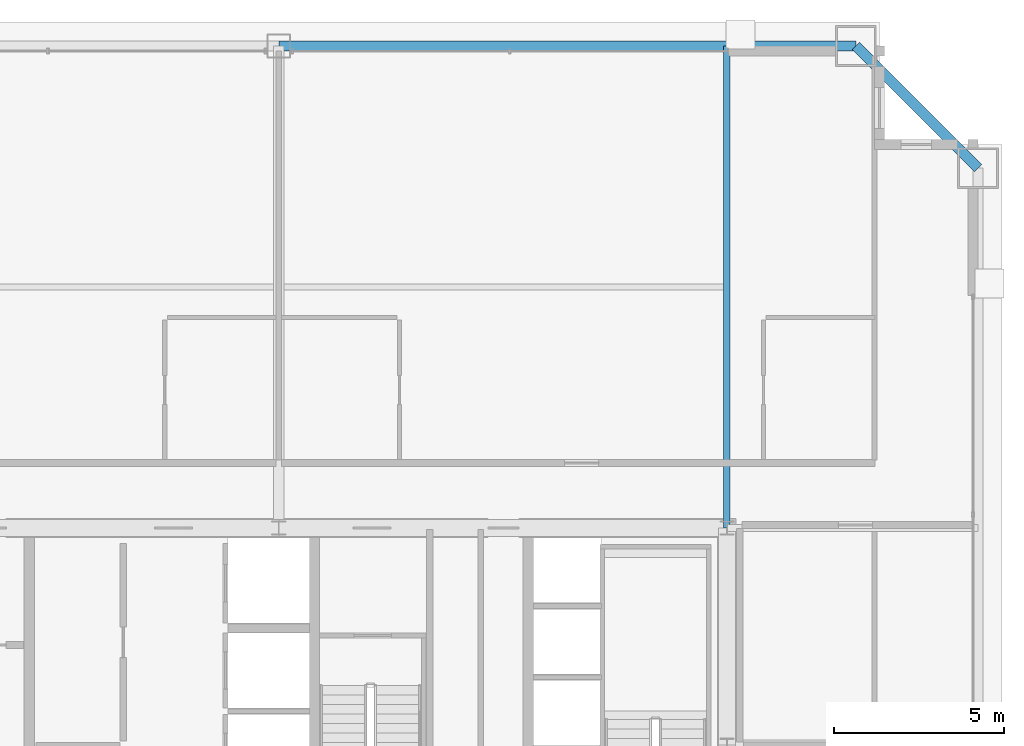
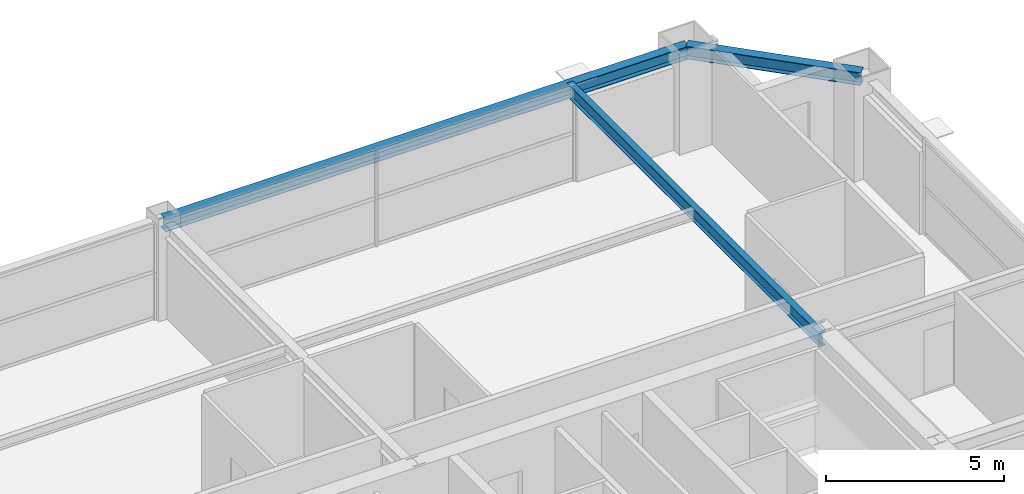
# One storey, part 29 of 36: 3 beams.
"""IFC4 building model written with IfcOpenShell, lengths in metres."""

from ifc_helpers import new_model, si_unit, direction, frame, origin, origin_2d, place, context, subcontext, project, spatial, i_section, extrude, source, transform, mapped, material, material_profile, profile_set, type_object, element, save


model = new_model("IFC4")

# Units and contexts
model_context = context("Model", 3, precision=1e-05, world=origin(), true_north=direction((0.0, 1.0)))
body_context = subcontext(model_context, "Body", "Model", "MODEL_VIEW")
ifc_project = project(units=[si_unit("LENGTHUNIT", "METRE"), si_unit("AREAUNIT", "SQUARE_METRE"), si_unit("VOLUMEUNIT", "CUBIC_METRE"), si_unit("PLANEANGLEUNIT", "RADIAN"), si_unit("MASSUNIT", "GRAM", prefix="KILO"), si_unit("THERMODYNAMICTEMPERATUREUNIT", "KELVIN"), si_unit("POWERUNIT", "WATT")], contexts=[model_context])

# Site, building, storey
site_placement = place(None, origin())
site = spatial("IfcSite", under=ifc_project, at=site_placement, CompositionType="ELEMENT")
building_placement = place(site_placement, origin())
building = spatial("IfcBuilding", under=site, at=building_placement, Name="Yuzanri Waterfront Tower", CompositionType="ELEMENT")
storey_placement = place(building_placement, frame((0.0, 0.0, 231.10009765625)))
storey = spatial("IfcBuildingStorey", under=building, at=storey_placement, Name="L61", CompositionType="ELEMENT", Elevation=231.10009765625)

# Beams
ifc_material_1 = material(Name="Steel Q355B", Category="steel")
ifc_material_profile_1 = material_profile(ifc_material_1, i_section(OverallWidth=0.300048828125, OverallDepth=0.43994140625, WebThickness=0.010986328125, FlangeThickness=0.01806640625, at=origin_2d()), Name="HM 440x300x11x18")
ifc_profile_set_1 = profile_set([ifc_material_profile_1], Name="Steel Q355B")
beam_type_1 = type_object("IfcBeamType", Name="Perimeter Spandrel Q355B HM 440x300", PredefinedType="SPANDREL", material=ifc_profile_set_1)
shared_shape_1 = source(origin(), body_context, "Body", "SweptSolid", [
    extrude(i_section(OverallWidth=0.300048828125, OverallDepth=0.43994140625, WebThickness=0.010986328125, FlangeThickness=0.01806640625, at=origin_2d()), origin(), (0.0, 0.0, 1.0), 5.091064453125),
])
beam_1_placement = place(storey_placement, frame((57.60009765625, 42.800048828125, 3.059814453125), z_axis=(-0.707130757816, 0.707082803744, 0.0), x_axis=(-0.707082803744, -0.707130757816, 0.0)))
element("IfcBeam", 1, at=beam_1_placement, inside=storey, type_object=beam_type_1, Name="L61 Perimeter Spandrel E3-N3", PredefinedType="SPANDREL", context=body_context, shape_type="MappedRepresentation", body=[
    mapped(shared_shape_1, transform((0.0, 0.0, 0.0), scale=1.0)),
])
shared_shape_2 = source(origin(), body_context, "Body", "SweptSolid", [
    extrude(i_section(OverallWidth=0.300048828125, OverallDepth=0.43994140625, WebThickness=0.010986328125, FlangeThickness=0.01806640625, at=origin_2d()), origin(), (0.0, 0.0, 1.0), 17.0),
])
beam_2_placement = place(storey_placement, frame((54.0, 46.39990234375, 3.059814453125), z_axis=(-1.0, 0.0, 0.0), x_axis=(0.0, -1.0, 0.0)))
element("IfcBeam", 2, at=beam_2_placement, inside=storey, type_object=beam_type_1, Name="L61 Perimeter Spandrel N3-N2", PredefinedType="SPANDREL", context=body_context, shape_type="MappedRepresentation", body=[
    mapped(shared_shape_2, transform((0.0, 0.0, 0.0), scale=1.0)),
])
ifc_material_2 = material(Name="Steel Q355B", Category="steel")
ifc_material_profile_2 = material_profile(ifc_material_2, i_section(OverallWidth=0.199951171875, OverallDepth=0.449951171875, WebThickness=0.009033203125, FlangeThickness=0.013916015625, at=origin_2d()), Name="HN 450x200x9x14")
ifc_profile_set_2 = profile_set([ifc_material_profile_2], Name="Steel Q355B")
beam_type_2 = type_object("IfcBeamType", Name="Secondary Floor Beam Q355B HN 450x200", PredefinedType="BEAM", material=ifc_profile_set_2)
shared_shape_3 = source(origin(), body_context, "Body", "SweptSolid", [
    extrude(i_section(OverallWidth=0.199951171875, OverallDepth=0.449951171875, WebThickness=0.009033203125, FlangeThickness=0.013916015625, at=origin_2d()), origin(), (0.0, 0.0, 1.0), 14.199951171875),
])
beam_3_placement = place(storey_placement, frame((50.199951171875, 32.199951171875, 3.054931640625), z_axis=(0.0, 1.0, 0.0), x_axis=(-1.0, 0.0, 0.0)))
element("IfcBeam", 3, at=beam_3_placement, inside=storey, type_object=beam_type_2, Name="L61 North-East Core Line Beam", PredefinedType="BEAM", context=body_context, shape_type="MappedRepresentation", body=[
    mapped(shared_shape_3, transform((0.0, 0.0, 0.0), scale=1.0)),
])

save(model, "model.ifc")
